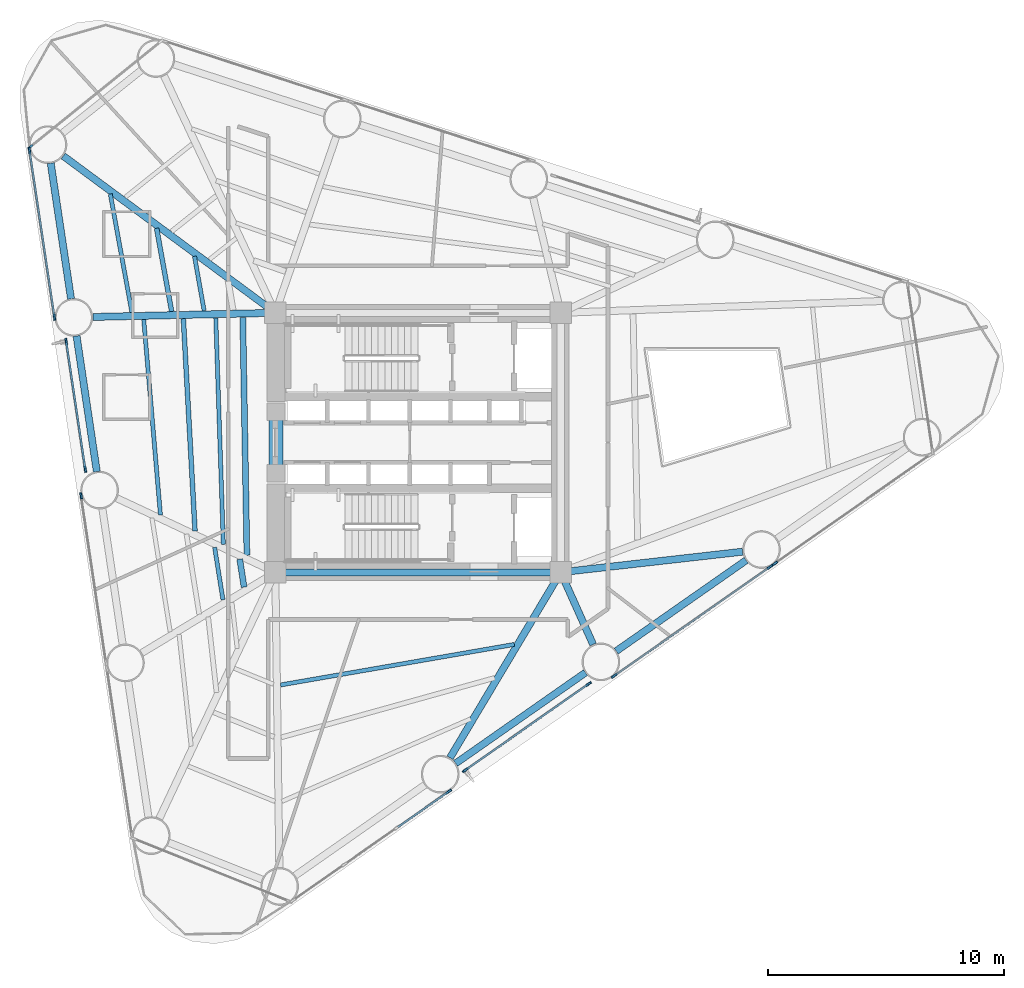
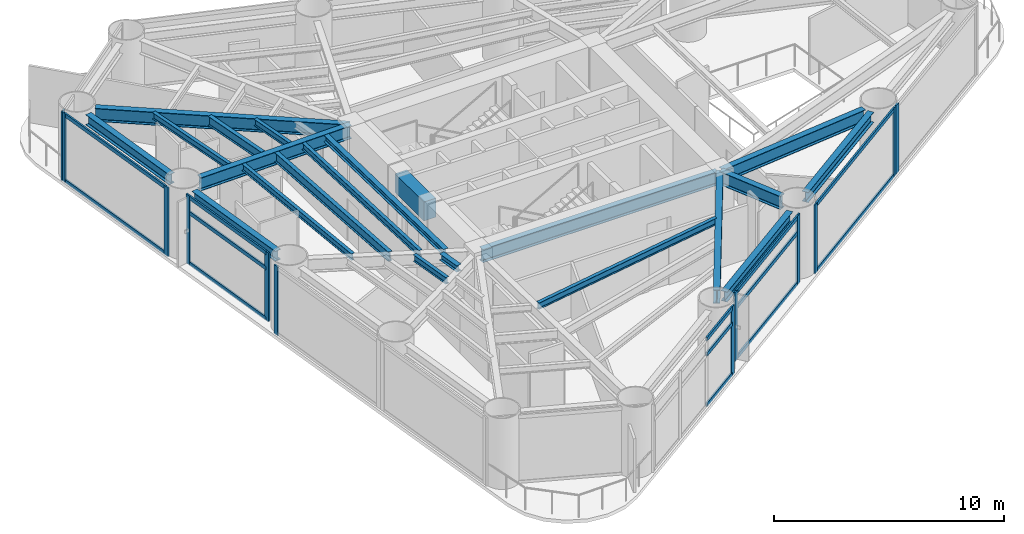
# One storey, part 2 of 9: 25 members, 21 beams, 8 elements without a shape of their own.
"""IFC4 building model written with IfcOpenShell, lengths in metres."""

from ifc_helpers import new_model, si_unit, direction, frame, origin, origin_2d, place, context, subcontext, project, spatial, rectangle, i_section, extrude, source, transform, mapped, material, layer, layer_set, material_profile, profile_set, type_object, element, aggregate, save


model = new_model("IFC4")

# Units and contexts
model_context = context("Model", 3, precision=1e-05, world=origin(), true_north=direction((0.0, 1.0)))
body_context = subcontext(model_context, "Body", "Model", "MODEL_VIEW")
ifc_project = project(units=[si_unit("LENGTHUNIT", "METRE"), si_unit("AREAUNIT", "SQUARE_METRE"), si_unit("VOLUMEUNIT", "CUBIC_METRE"), si_unit("PLANEANGLEUNIT", "RADIAN"), si_unit("MASSUNIT", "GRAM", prefix="KILO")], contexts=[model_context])

# Site, building, storey
site_placement = place(None, origin())
site = spatial("IfcSite", under=ifc_project, at=site_placement, CompositionType="ELEMENT")
building_placement = place(site_placement, origin())
building = spatial("IfcBuilding", under=site, at=building_placement, Name="Yunling Apex Tower", CompositionType="ELEMENT")
storey_placement = place(building_placement, frame((0.0, 0.0, 62.300048828125)))
storey = spatial("IfcBuildingStorey", under=building, at=storey_placement, Name="L16", CompositionType="ELEMENT", Elevation=62.300048828125)

# Beams
ifc_material_1 = material(Name="Concrete C60", Category="concrete")
ifc_material_profile_1 = material_profile(ifc_material_1, rectangle(XDim=0.60009765625, YDim=1.0, at=origin_2d()))
ifc_profile_set_1 = profile_set([ifc_material_profile_1], Name="Concrete C60")
beam_type_1 = type_object("IfcBeamType", Name="BC-CPL-1", PredefinedType="BEAM", material=ifc_profile_set_1)
shared_shape_1 = source(origin(), body_context, "Body", "SweptSolid", [
    extrude(rectangle(XDim=0.60009765625, YDim=1.0, at=origin_2d()), origin(), (0.0, 0.0, 1.0), 2.5),
])
beam_1_placement = place(storey_placement, frame((-6.02490234375, -1.25, 3.06494140625), z_axis=(0.0, 1.0, 0.0), x_axis=(-1.0, 0.0, 0.0)))
element("IfcBeam", 1, at=beam_1_placement, inside=storey, type_object=beam_type_1, Name="L16 Core West Portal Coupling Beam", PredefinedType="BEAM", context=body_context, shape_type="MappedRepresentation", body=[
    mapped(shared_shape_1, transform((0.0, 0.0, 0.0), scale=1.0)),
])
ifc_material_2 = material(Name="Steel Q355B", Category="steel")
ifc_material_profile_2 = material_profile(ifc_material_2, i_section(OverallWidth=0.300048828125, OverallDepth=0.699951171875, WebThickness=0.012939453125, FlangeThickness=0.02392578125, FilletRadius=0.02587890625, at=origin_2d()))
ifc_profile_set_2 = profile_set([ifc_material_profile_2], Name="Steel Q355B")
beam_type_2 = type_object("IfcBeamType", Name="BG-PRI-3", PredefinedType="USERDEFINED", material=ifc_profile_set_2)
shared_shape_2 = source(origin(), body_context, "Body", "SweptSolid", [
    extrude(i_section(OverallWidth=0.300048828125, OverallDepth=0.699951171875, WebThickness=0.012939453125, FlangeThickness=0.02392578125, FilletRadius=0.02587890625, at=origin_2d()), origin(), (0.0, 0.0, 1.0), 11.7998046875),
])
beam_2_placement = place(storey_placement, frame((-5.89990234375, -5.5, 3.21484375), z_axis=(1.0, 0.0, 0.0), x_axis=(0.0, 1.0, 0.0)))
element("IfcBeam", 2, at=beam_2_placement, inside=storey, type_object=beam_type_2, Name="L16 Core Ring Tie Beam 1", ObjectType="GIRDER", PredefinedType="USERDEFINED", context=body_context, shape_type="MappedRepresentation", body=[
    mapped(shared_shape_2, transform((0.0, 0.0, 0.0), scale=1.0)),
])
ifc_material_profile_3 = material_profile(ifc_material_2, i_section(OverallWidth=0.300048828125, OverallDepth=0.5400390625, WebThickness=0.011962890625, FlangeThickness=0.02001953125, FilletRadius=0.02392578125, at=origin_2d()))
ifc_profile_set_3 = profile_set([ifc_material_profile_3], Name="Steel Q355B")
beam_type_3 = type_object("IfcBeamType", Name="BP-SPN-1", PredefinedType="SPANDREL", material=ifc_profile_set_3)
shared_shape_3 = source(origin(), body_context, "Body", "SweptSolid", [
    extrude(i_section(OverallWidth=0.300048828125, OverallDepth=0.5400390625, WebThickness=0.011962890625, FlangeThickness=0.02001953125, FilletRadius=0.02392578125, at=origin_2d()), origin(), (0.0, 0.0, 1.0), 6.721435546875),
])
for number, where, z_axis, x_axis, name in (
    (3, (1.59228515625, -13.60302734375, 3.294921875), (0.81955772083, 0.572996633697, 0.0), (-0.572996633697, 0.81955772083, 0.0), "L16 Perimeter Spandrel Beam 2"),
    (4, (8.40234375, -8.841796875, 3.294921875), (0.81955772083, 0.572996633697, 0.0), (-0.572996633697, 0.81955772083, 0.0), "L16 Perimeter Spandrel Beam 3"),
):
    element("IfcBeam", number, at=place(storey_placement, frame(where, z_axis=z_axis, x_axis=x_axis)), inside=storey, type_object=beam_type_3, Name=name, PredefinedType="SPANDREL", context=body_context, shape_type="MappedRepresentation", body=[
        mapped(shared_shape_3, transform((0.0, 0.0, 0.0), scale=1.0)),
    ])
shared_shape_4 = source(origin(), body_context, "Body", "SweptSolid", [
    extrude(i_section(OverallWidth=0.300048828125, OverallDepth=0.5400390625, WebThickness=0.011962890625, FlangeThickness=0.02001953125, FilletRadius=0.02392578125, at=origin_2d()), origin(), (0.0, 0.0, 1.0), 5.81689453125),
])
for number, where, z_axis, x_axis, name in (
    (5, (-15.57177734375, 11.84423828125, 3.294921875), (0.147823230204, -0.989013797989, 0.0), (0.989013797989, 0.147823230204, 0.0), "L16 Perimeter Spandrel Beam 11"),
    (6, (-14.477294921875, 4.5205078125, 3.294921875), (0.147823230204, -0.989013797989, 0.0), (0.989013797989, 0.147823230204, 0.0), "L16 Perimeter Spandrel Beam 12"),
):
    element("IfcBeam", number, at=place(storey_placement, frame(where, z_axis=z_axis, x_axis=x_axis)), inside=storey, type_object=beam_type_3, Name=name, PredefinedType="SPANDREL", context=body_context, shape_type="MappedRepresentation", body=[
        mapped(shared_shape_4, transform((0.0, 0.0, 0.0), scale=1.0)),
    ])
shared_shape_5 = source(origin(), body_context, "Body", "SweptSolid", [
    extrude(i_section(OverallWidth=0.300048828125, OverallDepth=0.699951171875, WebThickness=0.012939453125, FlangeThickness=0.02392578125, FilletRadius=0.02587890625, at=origin_2d()), origin(), (0.0, 0.0, 1.0), 9.078857421875),
])
beam_3_placement = place(storey_placement, frame((1.355712890625, -13.3642578125, 3.21484375), z_axis=(0.512544819157, 0.858660473269, 0.0), x_axis=(-0.858660473269, 0.512544819157, 0.0)))
element("IfcBeam", 7, at=beam_3_placement, inside=storey, type_object=beam_type_2, Name="L16 Radial Primary Girder R02", ObjectType="GIRDER", PredefinedType="USERDEFINED", context=body_context, shape_type="MappedRepresentation", body=[
    mapped(shared_shape_5, transform((0.0, 0.0, 0.0), scale=1.0)),
])
shared_shape_6 = source(origin(), body_context, "Body", "SweptSolid", [
    extrude(i_section(OverallWidth=0.300048828125, OverallDepth=0.699951171875, WebThickness=0.012939453125, FlangeThickness=0.02392578125, FilletRadius=0.02587890625, at=origin_2d()), origin(), (0.0, 0.0, 1.0), 3.272705078125),
])
beam_4_placement = place(storey_placement, frame((7.421142578125, -8.5595703125, 3.21484375), z_axis=(-0.408946662986, 0.912558286814, 0.0), x_axis=(-0.912558286814, -0.408946662986, 0.0)))
element("IfcBeam", 8, at=beam_4_placement, inside=storey, type_object=beam_type_2, Name="L16 Radial Primary Girder R03", ObjectType="GIRDER", PredefinedType="USERDEFINED", context=body_context, shape_type="MappedRepresentation", body=[
    mapped(shared_shape_6, transform((0.0, 0.0, 0.0), scale=1.0)),
])
shared_shape_7 = source(origin(), body_context, "Body", "SweptSolid", [
    extrude(i_section(OverallWidth=0.300048828125, OverallDepth=0.699951171875, WebThickness=0.012939453125, FlangeThickness=0.02392578125, FilletRadius=0.02587890625, at=origin_2d()), origin(), (0.0, 0.0, 1.0), 7.677978515625),
])
beam_5_placement = place(storey_placement, frame((13.758544921875, -4.62646484375, 3.21484375), z_axis=(-0.993640958951, -0.112595047382, 0.0), x_axis=(0.112595047382, -0.993640958951, 0.0)))
element("IfcBeam", 9, at=beam_5_placement, inside=storey, type_object=beam_type_2, Name="L16 Radial Primary Girder R04", ObjectType="GIRDER", PredefinedType="USERDEFINED", context=body_context, shape_type="MappedRepresentation", body=[
    mapped(shared_shape_7, transform((0.0, 0.0, 0.0), scale=1.0)),
])
shared_shape_8 = source(origin(), body_context, "Body", "SweptSolid", [
    extrude(i_section(OverallWidth=0.300048828125, OverallDepth=0.699951171875, WebThickness=0.012939453125, FlangeThickness=0.02392578125, FilletRadius=0.02587890625, at=origin_2d()), origin(), (0.0, 0.0, 1.0), 11.101318359375),
])
beam_6_placement = place(storey_placement, frame((-15.03955078125, 12.14892578125, 3.21484375), z_axis=(0.803988254112, -0.594645177606, 0.0), x_axis=(0.594645177606, 0.803988254112, 0.0)))
element("IfcBeam", 10, at=beam_6_placement, inside=storey, type_object=beam_type_2, Name="L16 Radial Primary Girder R11", ObjectType="GIRDER", PredefinedType="USERDEFINED", context=body_context, shape_type="MappedRepresentation", body=[
    mapped(shared_shape_8, transform((0.0, 0.0, 0.0), scale=1.0)),
])
shared_shape_9 = source(origin(), body_context, "Body", "SweptSolid", [
    extrude(i_section(OverallWidth=0.300048828125, OverallDepth=0.699951171875, WebThickness=0.012939453125, FlangeThickness=0.02392578125, FilletRadius=0.02587890625, at=origin_2d()), origin(), (0.0, 0.0, 1.0), 7.658935546875),
])
beam_7_placement = place(storey_placement, frame((-13.786865234375, 5.32421875, 3.21484375), z_axis=(0.999741687414, 0.022727922173, 0.0), x_axis=(-0.022727922173, 0.999741687414, 0.0)))
element("IfcBeam", 11, at=beam_7_placement, inside=storey, type_object=beam_type_2, Name="L16 Radial Primary Girder R12", ObjectType="GIRDER", PredefinedType="USERDEFINED", context=body_context, shape_type="MappedRepresentation", body=[
    mapped(shared_shape_9, transform((0.0, 0.0, 0.0), scale=1.0)),
])
ifc_material_profile_4 = material_profile(ifc_material_2, i_section(OverallWidth=0.175048828125, OverallDepth=0.35009765625, WebThickness=0.007080078125, FlangeThickness=0.010986328125, FilletRadius=0.013916015625, at=origin_2d()))
ifc_profile_set_4 = profile_set([ifc_material_profile_4], Name="Steel Q355B")
beam_type_4 = type_object("IfcBeamType", Name="BJ-JST-1", PredefinedType="JOIST", material=ifc_profile_set_4)
shared_shape_10 = source(origin(), body_context, "Body", "SweptSolid", [
    extrude(i_section(OverallWidth=0.175048828125, OverallDepth=0.35009765625, WebThickness=0.007080078125, FlangeThickness=0.010986328125, FilletRadius=0.013916015625, at=origin_2d()), origin(), (0.0, 0.0, 1.0), 10.057861328125),
])
beam_8_placement = place(storey_placement, frame((-5.826904296875, -10.276611328125, 3.389892578125), z_axis=(0.985298923649, 0.170839196488, 0.0), x_axis=(-0.170839196488, 0.985298923649, 0.0)))
element("IfcBeam", 12, at=beam_8_placement, inside=storey, type_object=beam_type_4, Name="L16 Composite Floor Joist BJ3-1", PredefinedType="JOIST", context=body_context, shape_type="MappedRepresentation", body=[
    mapped(shared_shape_10, transform((0.0, 0.0, 0.0), scale=1.0)),
])
ifc_material_profile_5 = material_profile(ifc_material_2, i_section(OverallWidth=0.199951171875, OverallDepth=0.5, WebThickness=0.010009765625, FlangeThickness=0.01611328125, FilletRadius=0.02001953125, at=origin_2d()))
ifc_profile_set_5 = profile_set([ifc_material_profile_5], Name="Steel Q355B")
beam_type_5 = type_object("IfcBeamType", Name="BS-SEC-2", PredefinedType="BEAM", material=ifc_profile_set_5)
shared_shape_11 = source(origin(), body_context, "Body", "SweptSolid", [
    extrude(i_section(OverallWidth=0.199951171875, OverallDepth=0.5, WebThickness=0.010009765625, FlangeThickness=0.01611328125, FilletRadius=0.02001953125, at=origin_2d()), origin(), (0.0, 0.0, 1.0), 3.5859375),
])
beam_9_placement = place(storey_placement, frame((-11.083984375, 9.0869140625, 3.31494140625), z_axis=(0.177830877335, -0.984061064704, 0.0), x_axis=(0.984061064704, 0.177830877335, 0.0)))
element("IfcBeam", 13, at=beam_9_placement, inside=storey, type_object=beam_type_5, Name="L16 Composite Floor Beam BS-11", PredefinedType="BEAM", context=body_context, shape_type="MappedRepresentation", body=[
    mapped(shared_shape_11, transform((0.0, 0.0, 0.0), scale=1.0)),
])
shared_shape_12 = source(origin(), body_context, "Body", "SweptSolid", [
    extrude(i_section(OverallWidth=0.175048828125, OverallDepth=0.35009765625, WebThickness=0.007080078125, FlangeThickness=0.010986328125, FilletRadius=0.013916015625, at=origin_2d()), origin(), (0.0, 0.0, 1.0), 5.102294921875),
])
beam_10_placement = place(storey_placement, frame((-13.047119140625, 10.539306640625, 3.389892578125), z_axis=(0.179533864947, -0.983751793562, 0.0), x_axis=(0.983751793562, 0.179533864947, 0.0)))
element("IfcBeam", 14, at=beam_10_placement, inside=storey, type_object=beam_type_4, Name="L16 Composite Floor Joist BJ1-11", PredefinedType="JOIST", context=body_context, shape_type="MappedRepresentation", body=[
    mapped(shared_shape_12, transform((0.0, 0.0, 0.0), scale=1.0)),
])
shared_shape_13 = source(origin(), body_context, "Body", "SweptSolid", [
    extrude(i_section(OverallWidth=0.175048828125, OverallDepth=0.35009765625, WebThickness=0.007080078125, FlangeThickness=0.010986328125, FilletRadius=0.013916015625, at=origin_2d()), origin(), (0.0, 0.0, 1.0), 2.34521484375),
])
beam_11_placement = place(storey_placement, frame((-9.477783203125, 7.898681640625, 3.389892578125), z_axis=(0.174889813897, -0.984588011808, 0.0), x_axis=(0.984588011808, 0.174889813897, 0.0)))
element("IfcBeam", 15, at=beam_11_placement, inside=storey, type_object=beam_type_4, Name="L16 Composite Floor Joist BJ3-11", PredefinedType="JOIST", context=body_context, shape_type="MappedRepresentation", body=[
    mapped(shared_shape_13, transform((0.0, 0.0, 0.0), scale=1.0)),
])
shared_shape_14 = source(origin(), body_context, "Body", "SweptSolid", [
    extrude(i_section(OverallWidth=0.199951171875, OverallDepth=0.5, WebThickness=0.010009765625, FlangeThickness=0.01611328125, FilletRadius=0.02001953125, at=origin_2d()), origin(), (0.0, 0.0, 1.0), 9.018310546875),
])
beam_12_placement = place(storey_placement, frame((-9.94970703125, 5.25146484375, 3.31494140625), z_axis=(0.054955731572, -0.998488791909, 0.0), x_axis=(0.998488791909, 0.054955731572, 0.0)))
element("IfcBeam", 16, at=beam_12_placement, inside=storey, type_object=beam_type_5, Name="L16 Composite Floor Beam BS-12", PredefinedType="BEAM", context=body_context, shape_type="MappedRepresentation", body=[
    mapped(shared_shape_14, transform((0.0, 0.0, 0.0), scale=1.0)),
])
shared_shape_15 = source(origin(), body_context, "Body", "SweptSolid", [
    extrude(i_section(OverallWidth=0.175048828125, OverallDepth=0.35009765625, WebThickness=0.007080078125, FlangeThickness=0.010986328125, FilletRadius=0.013916015625, at=origin_2d()), origin(), (0.0, 0.0, 1.0), 8.313720703125),
])
beam_13_placement = place(storey_placement, frame((-11.62939453125, 5.21337890625, 3.389892578125), z_axis=(0.085220398072, -0.996362124808, 0.0), x_axis=(0.996362124808, 0.085220398072, 0.0)))
element("IfcBeam", 17, at=beam_13_placement, inside=storey, type_object=beam_type_4, Name="L16 Composite Floor Joist BJ1-12", PredefinedType="JOIST", context=body_context, shape_type="MappedRepresentation", body=[
    mapped(shared_shape_15, transform((0.0, 0.0, 0.0), scale=1.0)),
])
shared_shape_16 = source(origin(), body_context, "Body", "SweptSolid", [
    extrude(i_section(OverallWidth=0.175048828125, OverallDepth=0.35009765625, WebThickness=0.007080078125, FlangeThickness=0.010986328125, FilletRadius=0.013916015625, at=origin_2d()), origin(), (0.0, 0.0, 1.0), 9.600341796875),
])
beam_14_placement = place(storey_placement, frame((-8.57470703125, 5.28271484375, 3.389892578125), z_axis=(0.033364787957, -0.999443240472, 0.0), x_axis=(0.999443240472, 0.033364787957, 0.0)))
element("IfcBeam", 18, at=beam_14_placement, inside=storey, type_object=beam_type_4, Name="L16 Composite Floor Joist BJ3-12", PredefinedType="JOIST", context=body_context, shape_type="MappedRepresentation", body=[
    mapped(shared_shape_16, transform((0.0, 0.0, 0.0), scale=1.0)),
])
ifc_material_profile_6 = material_profile(ifc_material_2, i_section(OverallWidth=0.25, OverallDepth=0.340087890625, WebThickness=0.009033203125, FlangeThickness=0.013916015625, FilletRadius=0.01806640625, at=origin_2d()))
ifc_profile_set_6 = profile_set([ifc_material_profile_6], Name="Steel Q355B")
beam_type_6 = type_object("IfcBeamType", Name="BJ-JST-2", PredefinedType="JOIST", material=ifc_profile_set_6)
shared_shape_17 = source(origin(), body_context, "Body", "SweptSolid", [
    extrude(i_section(OverallWidth=0.25, OverallDepth=0.340087890625, WebThickness=0.009033203125, FlangeThickness=0.013916015625, FilletRadius=0.01806640625, at=origin_2d()), origin(), (0.0, 0.0, 1.0), 10.088134765625),
])
beam_15_placement = place(storey_placement, frame((-7.428955078125, 5.30859375, 3.39501953125), z_axis=(0.017255085284, -0.999851119933, 0.0), x_axis=(0.999851119933, 0.017255085284, 0.0)))
element("IfcBeam", 19, at=beam_15_placement, inside=storey, type_object=beam_type_6, Name="L16 Composite Floor Joist BJ2-12", PredefinedType="JOIST", context=body_context, shape_type="MappedRepresentation", body=[
    mapped(shared_shape_17, transform((0.0, 0.0, 0.0), scale=1.0)),
])
shared_shape_18 = source(origin(), body_context, "Body", "SweptSolid", [
    extrude(i_section(OverallWidth=0.175048828125, OverallDepth=0.35009765625, WebThickness=0.007080078125, FlangeThickness=0.010986328125, FilletRadius=0.013916015625, at=origin_2d()), origin(), (0.0, 0.0, 1.0), 2.252685546875),
])
beam_16_placement = place(storey_placement, frame((-8.622802734375, -4.443603515625, 3.389892578125), z_axis=(0.156608129458, -0.987660819203, 0.0), x_axis=(0.987660819203, 0.156608129458, 0.0)))
element("IfcBeam", 20, at=beam_16_placement, inside=storey, type_object=beam_type_4, Name="L16 Composite Floor Joist BJ3-13", PredefinedType="JOIST", context=body_context, shape_type="MappedRepresentation", body=[
    mapped(shared_shape_18, transform((0.0, 0.0, 0.0), scale=1.0)),
])
shared_shape_19 = source(origin(), body_context, "Body", "SweptSolid", [
    extrude(i_section(OverallWidth=0.25, OverallDepth=0.340087890625, WebThickness=0.009033203125, FlangeThickness=0.013916015625, FilletRadius=0.01806640625, at=origin_2d()), origin(), (0.0, 0.0, 1.0), 1.20068359375),
])
beam_17_placement = place(storey_placement, frame((-7.559814453125, -4.94091796875, 3.39501953125), z_axis=(0.154531945298, -0.987987792375, 0.0), x_axis=(0.987987792375, 0.154531945298, 0.0)))
element("IfcBeam", 21, at=beam_17_placement, inside=storey, type_object=beam_type_6, Name="L16 Composite Floor Joist BJ2-13", PredefinedType="JOIST", context=body_context, shape_type="MappedRepresentation", body=[
    mapped(shared_shape_19, transform((0.0, 0.0, 0.0), scale=1.0)),
])

# Curtain wall, member
ifc_material_3 = material(Name="Bronze anodised aluminium", Category="aluminium")
ifc_layer = layer(ifc_material_3, 0.260009765625)
ifc_layer_set = layer_set([ifc_layer], Name="Bronze anodised aluminium")
curtain_wall_type = type_object("IfcCurtainWallType", Name="CW-SYS-2", PredefinedType="NOTDEFINED", material=ifc_layer_set)
curtain_wall_1_placement = place(storey_placement, origin())
curtain_wall_1 = element("IfcCurtainWall", 22, at=curtain_wall_1_placement, inside=storey, type_object=curtain_wall_type, Name="CW-L16-F1-B1", PredefinedType="NOTDEFINED")
ifc_material_profile_7 = material_profile(ifc_material_3, rectangle(XDim=0.0849609375, YDim=0.260009765625, at=origin_2d()))
ifc_profile_set_7 = profile_set([ifc_material_profile_7], Name="Bronze anodised aluminium")
member_type_1 = type_object("IfcMemberType", Name="CW-MUL-2", PredefinedType="MULLION", material=ifc_profile_set_7)
shared_shape_20 = source(origin(), body_context, "Body", "SweptSolid", [
    extrude(rectangle(XDim=0.0849609375, YDim=0.260009765625, at=origin_2d()), origin(), (0.0, 0.0, 1.0), 3.6650390625),
])
member_1_placement = place(storey_placement, frame((1.305419921875, -14.7919921875, -0.050048828125), z_axis=(0.0, 0.0, 1.0), x_axis=(-0.573004358875, 0.819552319691, 0.0)))
member_1 = element("IfcMember", 23, at=member_1_placement, type_object=member_type_1, Name="CW-SYS-2 mullion 4", PredefinedType="MULLION", context=body_context, shape_type="MappedRepresentation", body=[
    mapped(shared_shape_20, transform((0.0, 0.0, 0.0), scale=1.0)),
])

# Curtain wall, members
curtain_wall_2_placement = place(storey_placement, origin())
curtain_wall_2 = element("IfcCurtainWall", 24, at=curtain_wall_2_placement, inside=storey, type_object=curtain_wall_type, Name="CW-L16-F1-B2", PredefinedType="NOTDEFINED")
member_2_placement = place(storey_placement, frame((1.999755859375, -13.8916015625, -0.050048828125), z_axis=(0.0, 0.0, 1.0), x_axis=(-0.573002671888, 0.819553499175, 0.0)))
member_2 = element("IfcMember", 25, at=member_2_placement, type_object=member_type_1, Name="CW-SYS-2 mullion 1", PredefinedType="MULLION", context=body_context, shape_type="MappedRepresentation", body=[
    mapped(shared_shape_20, transform((0.0, 0.0, 0.0), scale=1.0)),
])
member_3_placement = place(storey_placement, frame((7.232177734375, -10.2333984375, -0.050048828125), z_axis=(0.0, 0.0, 1.0), x_axis=(-0.573002671888, 0.819553499175, 0.0)))
member_3 = element("IfcMember", 26, at=member_3_placement, type_object=member_type_1, Name="CW-SYS-2 mullion 2", PredefinedType="MULLION", context=body_context, shape_type="MappedRepresentation", body=[
    mapped(shared_shape_20, transform((0.0, 0.0, 0.0), scale=1.0)),
])

curtain_wall_3_placement = place(storey_placement, origin())
curtain_wall_3 = element("IfcCurtainWall", 27, at=curtain_wall_3_placement, inside=storey, type_object=curtain_wall_type, Name="CW-L16-F1-B3", PredefinedType="NOTDEFINED")
member_4_placement = place(storey_placement, frame((8.31591796875, -9.890380859375, -0.050048828125), z_axis=(0.0, 0.0, 1.0), x_axis=(-0.572996116804, 0.819558082217, 0.0)))
member_4 = element("IfcMember", 28, at=member_4_placement, type_object=member_type_1, Name="CW-SYS-2 mullion 1", PredefinedType="MULLION", context=body_context, shape_type="MappedRepresentation", body=[
    mapped(shared_shape_20, transform((0.0, 0.0, 0.0), scale=1.0)),
])
member_5_placement = place(storey_placement, frame((14.925048828125, -5.26953125, -0.050048828125), z_axis=(0.0, 0.0, 1.0), x_axis=(-0.572996116804, 0.819558082217, 0.0)))
member_5 = element("IfcMember", 29, at=member_5_placement, type_object=member_type_1, Name="CW-SYS-2 mullion 2", PredefinedType="MULLION", context=body_context, shape_type="MappedRepresentation", body=[
    mapped(shared_shape_20, transform((0.0, 0.0, 0.0), scale=1.0)),
])

# Curtain wall, member
curtain_wall_4_placement = place(storey_placement, origin())
curtain_wall_4 = element("IfcCurtainWall", 30, at=curtain_wall_4_placement, inside=storey, type_object=curtain_wall_type, Name="CW-L16-F1-B4", PredefinedType="NOTDEFINED")
member_6_placement = place(storey_placement, frame((15.1259765625, -5.129150390625, -0.050048828125), z_axis=(0.0, 0.0, 1.0), x_axis=(-0.573004358875, 0.819552319691, 0.0)))
member_6 = element("IfcMember", 31, at=member_6_placement, type_object=member_type_1, Name="CW-SYS-2 mullion 1", PredefinedType="MULLION", context=body_context, shape_type="MappedRepresentation", body=[
    mapped(shared_shape_20, transform((0.0, 0.0, 0.0), scale=1.0)),
])
aggregate(curtain_wall_4, [member_6])

curtain_wall_5_placement = place(storey_placement, origin())
curtain_wall_5 = element("IfcCurtainWall", 32, at=curtain_wall_5_placement, inside=storey, type_object=curtain_wall_type, Name="CW-L16-CRN2", PredefinedType="NOTDEFINED")
member_7_placement = place(storey_placement, frame((-16.4375, 12.539306640625, -0.050048828125), z_axis=(0.0, 0.0, 1.0), x_axis=(0.628079941911, -0.778148820322, 0.0)))
member_7 = element("IfcMember", 33, at=member_7_placement, type_object=member_type_1, Name="CW-SYS-2 mullion 2", PredefinedType="MULLION", context=body_context, shape_type="MappedRepresentation", body=[
    mapped(shared_shape_20, transform((0.0, 0.0, 0.0), scale=1.0)),
])
aggregate(curtain_wall_5, [member_7])

# Curtain wall, members
curtain_wall_6_placement = place(storey_placement, origin())
curtain_wall_6 = element("IfcCurtainWall", 34, at=curtain_wall_6_placement, inside=storey, type_object=curtain_wall_type, Name="CW-L16-F3-B1", PredefinedType="NOTDEFINED")
member_8_placement = place(storey_placement, frame((-16.47216796875, 12.388671875, -0.050048828125), z_axis=(0.0, 0.0, 1.0), x_axis=(0.989017400941, 0.147799122579, 0.0)))
member_8 = element("IfcMember", 35, at=member_8_placement, type_object=member_type_1, Name="CW-SYS-2 mullion 1", PredefinedType="MULLION", context=body_context, shape_type="MappedRepresentation", body=[
    mapped(shared_shape_20, transform((0.0, 0.0, 0.0), scale=1.0)),
])
member_9_placement = place(storey_placement, frame((-15.413818359375, 5.307373046875, -0.050048828125), z_axis=(0.0, 0.0, 1.0), x_axis=(0.989017400941, 0.147799122579, 0.0)))
member_9 = element("IfcMember", 36, at=member_9_placement, type_object=member_type_1, Name="CW-SYS-2 mullion 2", PredefinedType="MULLION", context=body_context, shape_type="MappedRepresentation", body=[
    mapped(shared_shape_20, transform((0.0, 0.0, 0.0), scale=1.0)),
])

curtain_wall_7_placement = place(storey_placement, origin())
curtain_wall_7 = element("IfcCurtainWall", 37, at=curtain_wall_7_placement, inside=storey, type_object=curtain_wall_type, Name="CW-L16-F3-B2", PredefinedType="NOTDEFINED")
member_10_placement = place(storey_placement, frame((-14.917236328125, 4.28466796875, -0.050048828125), z_axis=(0.0, 0.0, 1.0), x_axis=(0.98901713531, 0.147800900076, 0.0)))
member_10 = element("IfcMember", 38, at=member_10_placement, type_object=member_type_1, Name="CW-SYS-2 mullion 1", PredefinedType="MULLION", context=body_context, shape_type="MappedRepresentation", body=[
    mapped(shared_shape_20, transform((0.0, 0.0, 0.0), scale=1.0)),
])
member_11_placement = place(storey_placement, frame((-14.107177734375, -1.13525390625, -0.050048828125), z_axis=(0.0, 0.0, 1.0), x_axis=(0.98901713531, 0.147800900076, 0.0)))
member_11 = element("IfcMember", 39, at=member_11_placement, type_object=member_type_1, Name="CW-SYS-2 mullion 2", PredefinedType="MULLION", context=body_context, shape_type="MappedRepresentation", body=[
    mapped(shared_shape_20, transform((0.0, 0.0, 0.0), scale=1.0)),
])

# Curtain wall, member
curtain_wall_8_placement = place(storey_placement, origin())
curtain_wall_8 = element("IfcCurtainWall", 40, at=curtain_wall_8_placement, inside=storey, type_object=curtain_wall_type, Name="CW-L16-F3-B3", PredefinedType="NOTDEFINED")
member_12_placement = place(storey_placement, frame((-14.283203125, -2.258544921875, -0.050048828125), z_axis=(0.0, 0.0, 1.0), x_axis=(0.98901508166, 0.147814641525, 0.0)))
member_12 = element("IfcMember", 41, at=member_12_placement, type_object=member_type_1, Name="CW-SYS-2 mullion 1", PredefinedType="MULLION", context=body_context, shape_type="MappedRepresentation", body=[
    mapped(shared_shape_20, transform((0.0, 0.0, 0.0), scale=1.0)),
])
aggregate(curtain_wall_8, [member_12])

# Member
ifc_material_profile_8 = material_profile(ifc_material_3, rectangle(XDim=0.0849609375, YDim=0.199951171875, at=origin_2d()))
ifc_profile_set_8 = profile_set([ifc_material_profile_8], Name="Bronze anodised aluminium")
member_type_2 = type_object("IfcMemberType", Name="CW-TRN-2", PredefinedType="USERDEFINED", material=ifc_profile_set_8)
shared_shape_21 = source(origin(), body_context, "Body", "SweptSolid", [
    extrude(rectangle(XDim=0.0849609375, YDim=0.199951171875, at=origin_2d()), origin(), (0.0, 0.0, 1.0), 2.59765625),
])
member_13_placement = place(storey_placement, frame((-0.854736328125, -16.30224609375, 0.04248046875), z_axis=(0.819585012743, 0.572957596064, 0.0), x_axis=(-0.572957596064, 0.819585012743, 0.0)))
member_13 = element("IfcMember", 42, at=member_13_placement, type_object=member_type_2, Name="CW-SYS-2 transom 3.1", ObjectType="TRANSOM", PredefinedType="USERDEFINED", context=body_context, shape_type="MappedRepresentation", body=[
    mapped(shared_shape_21, transform((0.0, 0.0, 0.0), scale=1.0)),
])

member_14_placement = place(storey_placement, frame((-0.854736328125, -16.30224609375, 2.71484375), z_axis=(0.819585012743, 0.572957596064, 0.0), x_axis=(-0.572957596064, 0.819585012743, 0.0)))
member_14 = element("IfcMember", 43, at=member_14_placement, type_object=member_type_2, Name="CW-SYS-2 transom 3.2", ObjectType="TRANSOM", PredefinedType="USERDEFINED", context=body_context, shape_type="MappedRepresentation", body=[
    mapped(shared_shape_21, transform((0.0, 0.0, 0.0), scale=1.0)),
])

member_15_placement = place(storey_placement, frame((-0.854736328125, -16.30224609375, 3.5224609375), z_axis=(0.819585012743, 0.572957596064, 0.0), x_axis=(-0.572957596064, 0.819585012743, 0.0)))
member_15 = element("IfcMember", 44, at=member_15_placement, type_object=member_type_2, Name="CW-SYS-2 transom 3.3", ObjectType="TRANSOM", PredefinedType="USERDEFINED", context=body_context, shape_type="MappedRepresentation", body=[
    mapped(shared_shape_21, transform((0.0, 0.0, 0.0), scale=1.0)),
])

aggregate(curtain_wall_1, [member_1, member_13, member_14, member_15])

shared_shape_22 = source(origin(), body_context, "Body", "SweptSolid", [
    extrude(rectangle(XDim=0.0849609375, YDim=0.199951171875, at=origin_2d()), origin(), (0.0, 0.0, 1.0), 6.3076171875),
])
member_16_placement = place(storey_placement, frame((2.03125, -13.86962890625, 0.04248046875), z_axis=(0.819555463581, 0.57299986223, 0.0), x_axis=(-0.57299986223, 0.819555463581, 0.0)))
member_16 = element("IfcMember", 45, at=member_16_placement, type_object=member_type_2, Name="CW-SYS-2 transom 1.1", ObjectType="TRANSOM", PredefinedType="USERDEFINED", context=body_context, shape_type="MappedRepresentation", body=[
    mapped(shared_shape_22, transform((0.0, 0.0, 0.0), scale=1.0)),
])

member_17_placement = place(storey_placement, frame((2.03125, -13.86962890625, 2.71484375), z_axis=(0.819555463581, 0.57299986223, 0.0), x_axis=(-0.57299986223, 0.819555463581, 0.0)))
member_17 = element("IfcMember", 46, at=member_17_placement, type_object=member_type_2, Name="CW-SYS-2 transom 1.2", ObjectType="TRANSOM", PredefinedType="USERDEFINED", context=body_context, shape_type="MappedRepresentation", body=[
    mapped(shared_shape_22, transform((0.0, 0.0, 0.0), scale=1.0)),
])

member_18_placement = place(storey_placement, frame((2.03125, -13.86962890625, 3.5224609375), z_axis=(0.819555463581, 0.57299986223, 0.0), x_axis=(-0.57299986223, 0.819555463581, 0.0)))
member_18 = element("IfcMember", 47, at=member_18_placement, type_object=member_type_2, Name="CW-SYS-2 transom 1.3", ObjectType="TRANSOM", PredefinedType="USERDEFINED", context=body_context, shape_type="MappedRepresentation", body=[
    mapped(shared_shape_22, transform((0.0, 0.0, 0.0), scale=1.0)),
])

aggregate(curtain_wall_2, [member_2, member_3, member_16, member_17, member_18])

shared_shape_23 = source(origin(), body_context, "Body", "SweptSolid", [
    extrude(rectangle(XDim=0.0849609375, YDim=0.199951171875, at=origin_2d()), origin(), (0.0, 0.0, 1.0), 7.98779296875),
])
member_19_placement = place(storey_placement, frame((8.347412109375, -9.868408203125, 0.04248046875), z_axis=(0.819559176955, 0.572994550995, 0.0), x_axis=(-0.572994550995, 0.819559176955, 0.0)))
member_19 = element("IfcMember", 48, at=member_19_placement, type_object=member_type_2, Name="CW-SYS-2 transom 1.1", ObjectType="TRANSOM", PredefinedType="USERDEFINED", context=body_context, shape_type="MappedRepresentation", body=[
    mapped(shared_shape_23, transform((0.0, 0.0, 0.0), scale=1.0)),
])

member_20_placement = place(storey_placement, frame((8.347412109375, -9.868408203125, 3.5224609375), z_axis=(0.819559176955, 0.572994550995, 0.0), x_axis=(-0.572994550995, 0.819559176955, 0.0)))
member_20 = element("IfcMember", 49, at=member_20_placement, type_object=member_type_2, Name="CW-SYS-2 transom 1.2", ObjectType="TRANSOM", PredefinedType="USERDEFINED", context=body_context, shape_type="MappedRepresentation", body=[
    mapped(shared_shape_23, transform((0.0, 0.0, 0.0), scale=1.0)),
])

aggregate(curtain_wall_3, [member_4, member_5, member_19, member_20])

shared_shape_24 = source(origin(), body_context, "Body", "SweptSolid", [
    extrude(rectangle(XDim=0.0849609375, YDim=0.199951171875, at=origin_2d()), origin(), (0.0, 0.0, 1.0), 7.08349609375),
])
member_21_placement = place(storey_placement, frame((-16.466552734375, 12.350830078125, 0.04248046875), z_axis=(0.147826386349, -0.989013326249, 0.0), x_axis=(0.989013326249, 0.147826386349, 0.0)))
member_21 = element("IfcMember", 50, at=member_21_placement, type_object=member_type_2, Name="CW-SYS-2 transom 1.1", ObjectType="TRANSOM", PredefinedType="USERDEFINED", context=body_context, shape_type="MappedRepresentation", body=[
    mapped(shared_shape_24, transform((0.0, 0.0, 0.0), scale=1.0)),
])

member_22_placement = place(storey_placement, frame((-16.466552734375, 12.350830078125, 3.5224609375), z_axis=(0.147826386349, -0.989013326249, 0.0), x_axis=(0.989013326249, 0.147826386349, 0.0)))
member_22 = element("IfcMember", 51, at=member_22_placement, type_object=member_type_2, Name="CW-SYS-2 transom 1.2", ObjectType="TRANSOM", PredefinedType="USERDEFINED", context=body_context, shape_type="MappedRepresentation", body=[
    mapped(shared_shape_24, transform((0.0, 0.0, 0.0), scale=1.0)),
])

aggregate(curtain_wall_6, [member_8, member_9, member_21, member_22])

shared_shape_25 = source(origin(), body_context, "Body", "SweptSolid", [
    extrude(rectangle(XDim=0.0849609375, YDim=0.199951171875, at=origin_2d()), origin(), (0.0, 0.0, 1.0), 5.403564453125),
])
member_23_placement = place(storey_placement, frame((-14.91162109375, 4.246826171875, 0.04248046875), z_axis=(0.147788090943, -0.98901904945, 0.0), x_axis=(0.98901904945, 0.147788090943, 0.0)))
member_23 = element("IfcMember", 52, at=member_23_placement, type_object=member_type_2, Name="CW-SYS-2 transom 1.1", ObjectType="TRANSOM", PredefinedType="USERDEFINED", context=body_context, shape_type="MappedRepresentation", body=[
    mapped(shared_shape_25, transform((0.0, 0.0, 0.0), scale=1.0)),
])

member_24_placement = place(storey_placement, frame((-14.91162109375, 4.246826171875, 2.71484375), z_axis=(0.147788090943, -0.98901904945, 0.0), x_axis=(0.98901904945, 0.147788090943, 0.0)))
member_24 = element("IfcMember", 53, at=member_24_placement, type_object=member_type_2, Name="CW-SYS-2 transom 1.2", ObjectType="TRANSOM", PredefinedType="USERDEFINED", context=body_context, shape_type="MappedRepresentation", body=[
    mapped(shared_shape_25, transform((0.0, 0.0, 0.0), scale=1.0)),
])

member_25_placement = place(storey_placement, frame((-14.91162109375, 4.246826171875, 3.5224609375), z_axis=(0.147788090943, -0.98901904945, 0.0), x_axis=(0.98901904945, 0.147788090943, 0.0)))
member_25 = element("IfcMember", 54, at=member_25_placement, type_object=member_type_2, Name="CW-SYS-2 transom 1.3", ObjectType="TRANSOM", PredefinedType="USERDEFINED", context=body_context, shape_type="MappedRepresentation", body=[
    mapped(shared_shape_25, transform((0.0, 0.0, 0.0), scale=1.0)),
])

aggregate(curtain_wall_7, [member_10, member_11, member_23, member_24, member_25])

save(model, "model.ifc")
